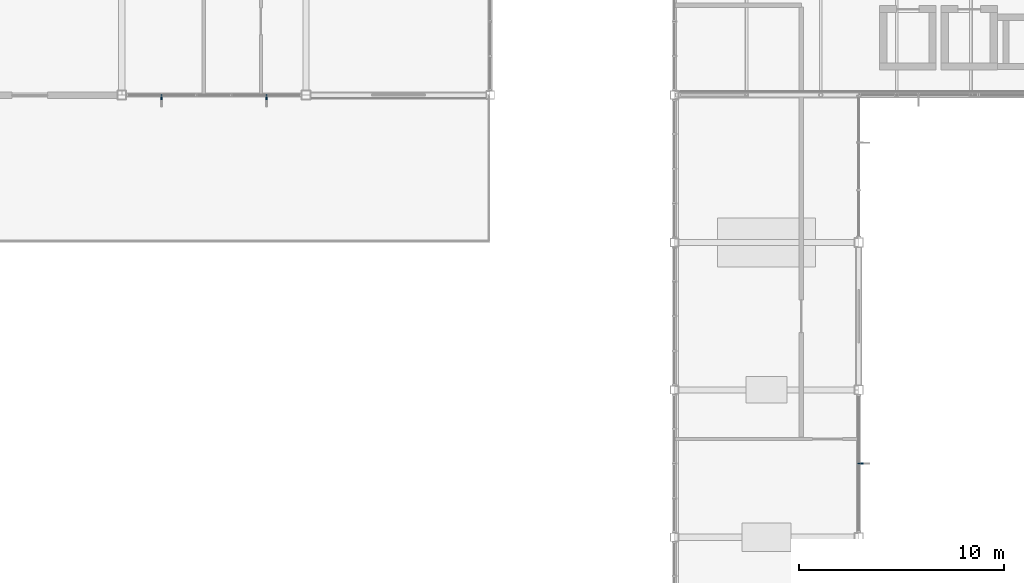
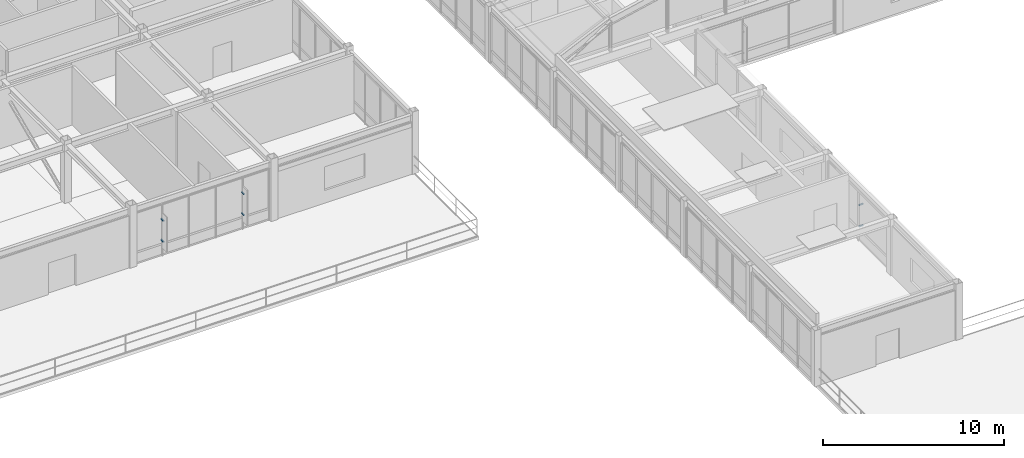
# One storey, part 93 of 106: 6 discrete accessories.
"""IFC4 building model written with IfcOpenShell, lengths in metres."""

from ifc_helpers import new_model, si_unit, direction, frame, origin, origin_2d, place, context, subcontext, project, spatial, rectangle, extrude, material, type_object, element, save


model = new_model("IFC4")

# Units and contexts
model_context = context("Model", 3, precision=1e-05, world=origin(), true_north=direction((0.0, 1.0)))
body_context = subcontext(model_context, "Body", "Model", "MODEL_VIEW")
ifc_project = project(units=[si_unit("LENGTHUNIT", "METRE"), si_unit("AREAUNIT", "SQUARE_METRE"), si_unit("VOLUMEUNIT", "CUBIC_METRE"), si_unit("PLANEANGLEUNIT", "RADIAN"), si_unit("MASSUNIT", "GRAM", prefix="KILO")], contexts=[model_context])

# Site, building, storey
site_placement = place(None, origin())
site = spatial("IfcSite", under=ifc_project, at=site_placement, CompositionType="ELEMENT")
building_placement = place(site_placement, origin())
building = spatial("IfcBuilding", under=site, at=building_placement, Name="Kazanami Central Library", CompositionType="ELEMENT")
storey_placement = place(building_placement, frame((0.0, 0.0, 12.800048828125)))
storey = spatial("IfcBuildingStorey", under=building, at=storey_placement, Name="L04", CompositionType="ELEMENT", Elevation=12.800048828125)

# Discrete accessories
ifc_material = material(Name="Stainless Steel SUS304", Category="steel")
discrete_accessory_type = type_object("IfcDiscreteAccessoryType", Name="ACC-BRK-1", PredefinedType="BRACKET", material=ifc_material)
for number, where, z_axis, x_axis, name in (
    (1, (19.93505859375, 64.7099609375, 1.0), (0.0, 0.0, 1.0), (1.0, 0.0, 0.0), "Solar Fin Outrigger Bracket L04 S-K-02.1.1"),
    (2, (19.93505859375, 64.7099609375, 2.409912109375), (0.0, 0.0, 1.0), (1.0, 0.0, 0.0), "Solar Fin Outrigger Bracket L04 S-K-02.1.2"),
    (3, (25.06494140625, 64.7099609375, 1.0), (0.0, 0.0, 1.0), (1.0, 0.0, 0.0), "Solar Fin Outrigger Bracket L04 S-K-02.2.1"),
    (4, (25.06494140625, 64.7099609375, 2.409912109375), (0.0, 0.0, 1.0), (1.0, 0.0, 0.0), "Solar Fin Outrigger Bracket L04 S-K-02.2.2"),
    (5, (54.090087890625, 46.800048828125, 0.905029296875), (0.0, 0.0, 1.0), (0.0, -1.0, 0.0), "Solar Fin Outrigger Bracket L04 E-7-06.1.1"),
    (6, (54.090087890625, 46.800048828125, 2.344970703125), (0.0, 0.0, 1.0), (0.0, -1.0, 0.0), "Solar Fin Outrigger Bracket L04 E-7-06.1.2"),
):
    element("IfcDiscreteAccessory", number, at=place(storey_placement, frame(where, z_axis=z_axis, x_axis=x_axis)), inside=storey, type_object=discrete_accessory_type, Name=name, PredefinedType="BRACKET", context=body_context, shape_type="SweptSolid", body=[
        extrude(rectangle(XDim=0.080078125, YDim=0.280029296875, at=origin_2d()), origin(), (0.0, 0.0, 1.0), 0.080078125),
    ])

save(model, "model.ifc")
